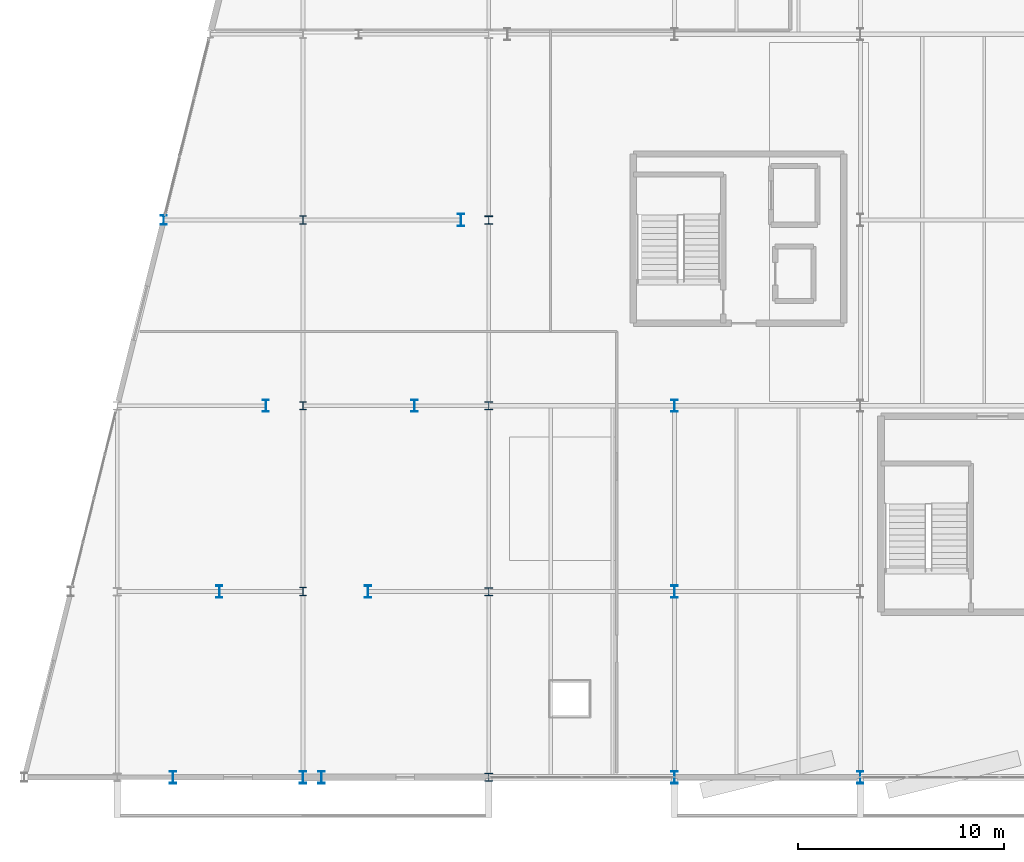
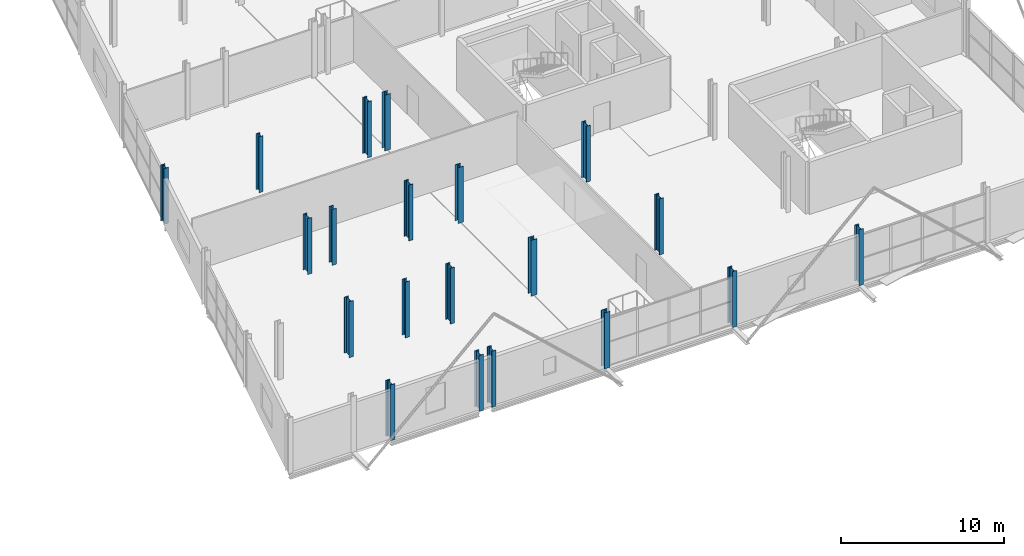
# One storey, part 10 of 103: 20 columns.
"""IFC4 building model written with IfcOpenShell, lengths in metres."""

import ifcopenshell
import ifcopenshell.guid

model = None  # the IFC model being written
_history = None  # IfcOwnerHistory: only IFC2X3 demands one
_inside = {}  # id of a spatial element -> (the spatial element, [elements in it])
_under = {}  # id of a project, library or spatial element -> (it, [spatial elements below it])
_declared = {}  # id of a project -> (the project, [libraries it declares])
_typed = {}  # id of a type object -> (the type object, [elements of that type])
_made_of = {}  # id of a material, layer set ... -> (it, [elements and type objects made of it])


def new_model(schema):
    """Start an empty IFC model of exactly this schema.

    Asked for "IFC4X3", IfcOpenShell would pick the latest addendum, in which some entities
    have other attributes; the version numbers below select the first issue.
    IFC2X3 requires an IfcOwnerHistory on every rooted entity: one is made here for all.
    """
    global model, _history
    if schema == "IFC4X3":
        model = ifcopenshell.file(schema_version=(4, 3, 0, 0))
    else:
        model = ifcopenshell.file(schema=schema)
    _inside.clear()
    _under.clear()
    _declared.clear()
    _typed.clear()
    _made_of.clear()
    _history = None
    if model.schema == "IFC2X3":
        org = make("IfcOrganization", Name="unknown")
        user = make(
            "IfcPersonAndOrganization",
            ThePerson=make("IfcPerson", FamilyName="unknown"),
            TheOrganization=org,
        )
        app = make(
            "IfcApplication",
            ApplicationDeveloper=org,
            Version="unknown",
            ApplicationFullName="unknown",
            ApplicationIdentifier="unknown",
        )
        _history = make(
            "IfcOwnerHistory",
            OwningUser=user,
            OwningApplication=app,
            ChangeAction="ADDED",
            CreationDate=0,
        )
    return model


def make(cls, **values):
    """One entity of the class cls with the attributes given. An attribute that is None is left unset."""
    return model.create_entity(
        cls, **{name: value for name, value in values.items() if value is not None}
    )


def rooted(cls, **values):
    """An entity with a GlobalId (a new one), such as an element, a storey or a relation."""
    return make(cls, GlobalId=ifcopenshell.guid.new(), OwnerHistory=_history, **values)


def si_unit(unit_type, name, prefix=None):
    """IfcSIUnit, for example si_unit("LENGTHUNIT", "METRE", prefix="MILLI")."""
    return make("IfcSIUnit", UnitType=unit_type, Prefix=prefix, Name=name)


def assignment(units):
    """IfcUnitAssignment: the units of a project."""
    return None if units is None else make("IfcUnitAssignment", Units=units)


def point(xyz):
    """IfcCartesianPoint."""
    return None if xyz is None else make("IfcCartesianPoint", Coordinates=xyz)


def direction(xyz):
    """IfcDirection."""
    return None if xyz is None else make("IfcDirection", DirectionRatios=xyz)


def frame(location, z_axis=None, x_axis=None):
    """IfcAxis2Placement3D, a coordinate frame: its origin and axes. An axis left out is left unset."""
    return make(
        "IfcAxis2Placement3D",
        Location=point(location),
        Axis=direction(z_axis),
        RefDirection=direction(x_axis),
    )


def frame_2d(location, x_axis=None):
    """IfcAxis2Placement2D, a coordinate frame in the plane: its origin and x axis."""
    return make(
        "IfcAxis2Placement2D", Location=point(location), RefDirection=direction(x_axis)
    )


def origin():
    """The frame at (0, 0, 0) with its axes left unset."""
    return frame((0.0, 0.0, 0.0))


def origin_2d():
    """The frame at (0, 0) in the plane with its x axis left unset."""
    return frame_2d((0.0, 0.0))


def place(relative_to, where):
    """IfcLocalPlacement: puts the frame where relative to a parent placement (None: the world)."""
    return make(
        "IfcLocalPlacement", PlacementRelTo=relative_to, RelativePlacement=where
    )


def context(
    kind, dimensions, precision=None, world=None, true_north=None, identifier=None
):
    """IfcGeometricRepresentationContext, for example the 3D "Model" context."""
    return make(
        "IfcGeometricRepresentationContext",
        ContextIdentifier=identifier,
        ContextType=kind,
        CoordinateSpaceDimension=dimensions,
        Precision=precision,
        WorldCoordinateSystem=world,
        TrueNorth=true_north,
    )


def subcontext(parent, identifier, kind, view, scale=None):
    """IfcGeometricRepresentationSubContext, for example "Body" below "Model"."""
    return make(
        "IfcGeometricRepresentationSubContext",
        ContextIdentifier=identifier,
        ContextType=kind,
        ParentContext=parent,
        TargetScale=scale,
        TargetView=view,
    )


def project(units=None, contexts=None):
    """IfcProject with its units and contexts."""
    return rooted(
        "IfcProject",
        Name="project",
        RepresentationContexts=contexts,
        UnitsInContext=assignment(units),
    )


def spatial(cls, under=None, at=None, **own):
    """A site, building, storey or space (cls), placed at a placement, below another one or the project."""
    s = rooted(cls, ObjectPlacement=at, **own)
    if under is not None:
        _under.setdefault(under.id(), (under, []))[1].append(s)
    return s


def profile(cls, at=None, kind="AREA", **sizes):
    """A parametric profile (cls). Its sizes go by their IFC names, for example OverallWidth=200.0."""
    return make(cls, ProfileType=kind, Position=at, **sizes)


def i_section(**sizes):
    """IfcIShapeProfileDef."""
    return profile("IfcIShapeProfileDef", **sizes)


def extrude(swept, where, along, depth):
    """IfcExtrudedAreaSolid: the profile swept, set in the frame where, extruded along a direction by depth."""
    return make(
        "IfcExtrudedAreaSolid",
        SweptArea=swept,
        Position=where,
        ExtrudedDirection=direction(along),
        Depth=depth,
    )


def shape(context_of_items, identifier, shape_type, items):
    """IfcShapeRepresentation: the items that make up one representation, for example the "Body"."""
    return make(
        "IfcShapeRepresentation",
        ContextOfItems=context_of_items,
        RepresentationIdentifier=identifier,
        RepresentationType=shape_type,
        Items=items,
    )


def material(Name=None, Category=None):
    """IfcMaterial."""
    return make("IfcMaterial", Name=Name, Category=Category)


def material_profile(
    of_material, cross_section, Name=None, Category=None, Priority=None
):
    """IfcMaterialProfile: a cross section and its material."""
    return make(
        "IfcMaterialProfile",
        Name=Name,
        Material=of_material,
        Profile=cross_section,
        Priority=Priority,
        Category=Category,
    )


def profile_set(profiles, Name=None, composite=None):
    """IfcMaterialProfileSet."""
    return make(
        "IfcMaterialProfileSet",
        Name=Name,
        MaterialProfiles=profiles,
        CompositeProfile=composite,
    )


def made_of(thing, what):
    """Note that an element or type object is made of a material, layer set ...; save() writes the relation."""
    if what is not None:
        _made_of.setdefault(what.id(), (what, []))[1].append(thing)
    return thing


def type_object(cls, material=None, **own):
    """A type object (cls), such as IfcWallType, which elements share."""
    return made_of(rooted(cls, **own), material)


def element(
    cls,
    number,
    at=None,
    inside=None,
    cuts=None,
    type_object=None,
    material=None,
    context=None,
    identifier="Body",
    shape_type=None,
    held_by="IfcProductDefinitionShape",
    body=None,
    shapes=None,
    **own,
):
    """One element of the class cls, such as IfcWall. Its Tag is "e" and its number.

    at: its placement. inside: the storey or other place that contains it. cuts: it is an
    opening in that element (IfcRelVoidsElement). A single representation is given by context,
    identifier, shape_type and body (its items); several are given by shapes. held_by: the class
    of the entity that holds the representations. save() writes the other relations.
    """
    e = rooted(cls, Tag="e%d" % number, ObjectPlacement=at, **own)
    if body is not None:
        shapes = [shape(context, identifier, shape_type, body)]
    if shapes is not None:
        e.Representation = make(held_by, Representations=shapes)
    if inside is not None:
        _inside.setdefault(inside.id(), (inside, []))[1].append(e)
    if cuts is not None:
        rooted(
            "IfcRelVoidsElement", RelatingBuildingElement=cuts, RelatedOpeningElement=e
        )
    if type_object is not None:
        _typed.setdefault(type_object.id(), (type_object, []))[1].append(e)
    return made_of(e, material)


def aggregate(whole, parts):
    """IfcRelAggregates: a whole, such as a stair, and the parts it consists of."""
    return rooted("IfcRelAggregates", RelatingObject=whole, RelatedObjects=parts)


def save(model, path):
    """Write the relations noted so far, then the file.

    IfcRelAggregates (storeys below a building ...), IfcRelContainedInSpatialStructure (elements
    in a storey), IfcRelDefinesByType, IfcRelAssociatesMaterial and IfcRelDeclares: one each for
    every whole, place, type object, material and project.
    """
    for whole, parts in _under.values():
        aggregate(whole, parts)
    for where, things in _inside.values():
        rooted(
            "IfcRelContainedInSpatialStructure",
            RelatedElements=things,
            RelatingStructure=where,
        )
    for kind, things in _typed.values():
        rooted("IfcRelDefinesByType", RelatedObjects=things, RelatingType=kind)
    for what, things in _made_of.values():
        rooted("IfcRelAssociatesMaterial", RelatedObjects=things, RelatingMaterial=what)
    for by, libraries in _declared.values():
        rooted("IfcRelDeclares", RelatingContext=by, RelatedDefinitions=libraries)
    model.write(path)


model = new_model("IFC4")

# Units and contexts
model_context = context("Model", 3, precision=1e-05, world=origin(), true_north=direction((0.0, 1.0)))
body_context = subcontext(model_context, "Body", "Model", "MODEL_VIEW")
ifc_project = project(units=[si_unit("LENGTHUNIT", "METRE"), si_unit("AREAUNIT", "SQUARE_METRE"), si_unit("VOLUMEUNIT", "CUBIC_METRE"), si_unit("PLANEANGLEUNIT", "RADIAN"), si_unit("MASSUNIT", "GRAM", prefix="KILO")], contexts=[model_context])

# Site, building, storey
site_placement = place(None, origin())
site = spatial("IfcSite", under=ifc_project, at=site_placement, CompositionType="ELEMENT")
building_placement = place(site_placement, origin())
building = spatial("IfcBuilding", under=site, at=building_placement, Name="Deido Ridge Mobility Hub", CompositionType="ELEMENT")
storey_placement = place(building_placement, frame((0.0, 0.0, 12.60009765625)))
storey = spatial("IfcBuildingStorey", under=building, at=storey_placement, Name="L03", CompositionType="ELEMENT", Elevation=12.60009765625)

# Columns
ifc_material = material(Name="Steel S355J2 EN 10025-2", Category="steel")
ifc_material_profile_1 = material_profile(ifc_material, i_section(OverallWidth=0.39892578125, OverallDepth=0.39306640625, WebThickness=0.017578125, FlangeThickness=0.028076171875, FilletRadius=0.014892578125, at=origin_2d()), Name="HD 400x287")
ifc_profile_set_1 = profile_set([ifc_material_profile_1], Name="Steel S355J2 EN 10025-2")
column_type_1 = type_object("IfcColumnType", Name="COL-HD400-287", PredefinedType="COLUMN", material=ifc_profile_set_1)
for number, where, z_axis, x_axis, name in (
    (1, (144.0, 0.0, 0.0), (0.0, 0.0, 1.0), (1.0, 0.0, 0.0), "Structural column C2"),
    (2, (144.0, 9.0, 0.0), (0.0, 0.0, 1.0), (1.0, 0.0, 0.0), "Structural column C2"),
    (3, (144.0, 18.0, 0.0), (0.0, 0.0, 1.0), (1.0, 0.0, 0.0), "Structural column C2"),
    (4, (144.0, 27.0, 0.0), (0.0, 0.0, 1.0), (1.0, 0.0, 0.0), "Structural column C2"),
):
    element("IfcColumn", number, at=place(storey_placement, frame(where, z_axis=z_axis, x_axis=x_axis)), inside=storey, type_object=column_type_1, Name=name, PredefinedType="COLUMN", context=body_context, shape_type="SweptSolid", body=[
        extrude(i_section(OverallWidth=0.39892578125, OverallDepth=0.39306640625, WebThickness=0.017578125, FlangeThickness=0.028076171875, FilletRadius=0.014892578125, at=origin_2d()), origin(), (0.0, 0.0, 1.0), 4.199951171875),
    ])
ifc_material_profile_2 = material_profile(ifc_material, i_section(OverallWidth=0.300048828125, OverallDepth=0.39990234375, WebThickness=0.013427734375, FlangeThickness=0.02392578125, FilletRadius=0.027099609375, at=origin_2d()), Name="HEB 400")
ifc_profile_set_2 = profile_set([ifc_material_profile_2], Name="Steel S355J2 EN 10025-2")
column_type_2 = type_object("IfcColumnType", Name="COL-HEB400", PredefinedType="COLUMN", material=ifc_profile_set_2)
for number, where, z_axis, x_axis, name in (
    (5, (135.0, 9.0, 0.0), (0.0, 0.0, 1.0), (1.0, 0.0, 0.0), "Structural column C7"),
    (6, (135.0, 18.0, 0.0), (0.0, 0.0, 1.0), (1.0, 0.0, 0.0), "Structural column C7"),
    (7, (135.0, 27.0, 0.0), (0.0, 0.0, 1.0), (1.0, 0.0, 0.0), "Structural column C7"),
):
    element("IfcColumn", number, at=place(storey_placement, frame(where, z_axis=z_axis, x_axis=x_axis)), inside=storey, type_object=column_type_2, Name=name, PredefinedType="COLUMN", context=body_context, shape_type="SweptSolid", body=[
        extrude(i_section(OverallWidth=0.300048828125, OverallDepth=0.39990234375, WebThickness=0.013427734375, FlangeThickness=0.02392578125, FilletRadius=0.027099609375, at=origin_2d()), origin(), (0.0, 0.0, 1.0), 4.199951171875),
    ])
ifc_material_profile_3 = material_profile(ifc_material, i_section(OverallWidth=0.300048828125, OverallDepth=0.449951171875, WebThickness=0.013916015625, FlangeThickness=0.02587890625, FilletRadius=0.027099609375, at=origin_2d()), Name="HEB 450")
ifc_profile_set_3 = profile_set([ifc_material_profile_3], Name="Steel S355J2 EN 10025-2")
column_type_3 = type_object("IfcColumnType", Name="COL-HEB450", PredefinedType="COLUMN", material=ifc_profile_set_3)
column_placement = place(storey_placement, frame((128.25, 27.0, 0.0), z_axis=(0.0, 0.0, 1.0), x_axis=(1.0, 0.0, 0.0)))
element("IfcColumn", 8, at=column_placement, inside=storey, type_object=column_type_3, Name="Structural column C6", PredefinedType="COLUMN", context=body_context, shape_type="SweptSolid", body=[
    extrude(i_section(OverallWidth=0.300048828125, OverallDepth=0.449951171875, WebThickness=0.013916015625, FlangeThickness=0.02587890625, FilletRadius=0.027099609375, at=origin_2d()), origin(), (0.0, 0.0, 1.0), 4.199951171875),
])
ifc_material_profile_4 = material_profile(ifc_material, i_section(OverallWidth=0.300048828125, OverallDepth=0.60009765625, WebThickness=0.015380859375, FlangeThickness=0.030029296875, FilletRadius=0.027099609375, at=origin_2d()), Name="HEB 600")
ifc_profile_set_4 = profile_set([ifc_material_profile_4], Name="Steel S355J2 EN 10025-2")
column_type_4 = type_object("IfcColumnType", Name="COL-HEB600", PredefinedType="COLUMN", material=ifc_profile_set_4)
for number, where, z_axis, x_axis, name in (
    (9, (128.699951171875, 0.0, 0.0), (0.0, 0.0, 1.0), (1.0, 0.0, 0.0), "Structural column C4"),
    (10, (135.0, 0.0, 0.0), (0.0, 0.0, 1.0), (1.0, 0.0, 0.0), "Structural column C4"),
    (11, (135.89990234375, 0.0, 0.0), (0.0, 0.0, 1.0), (1.0, 0.0, 0.0), "Structural column C4"),
    (12, (153.0, 0.0, 0.0), (0.0, 0.0, 1.0), (1.0, 0.0, 0.0), "Structural column C4"),
    (13, (162.0, 0.0, 0.0), (0.0, 0.0, 1.0), (1.0, 0.0, 0.0), "Structural column C4"),
    (14, (130.949951171875, 9.0, 0.0), (0.0, 0.0, 1.0), (1.0, 0.0, 0.0), "Structural column C4"),
    (15, (138.14990234375, 9.0, 0.0), (0.0, 0.0, 1.0), (1.0, 0.0, 0.0), "Structural column C4"),
    (16, (153.0, 9.0, 0.0), (0.0, 0.0, 1.0), (1.0, 0.0, 0.0), "Structural column C4"),
    (17, (133.199951171875, 18.0, 0.0), (0.0, 0.0, 1.0), (1.0, 0.0, 0.0), "Structural column C4"),
    (18, (140.39990234375, 18.0, 0.0), (0.0, 0.0, 1.0), (1.0, 0.0, 0.0), "Structural column C4"),
    (19, (153.0, 18.0, 0.0), (0.0, 0.0, 1.0), (1.0, 0.0, 0.0), "Structural column C4"),
    (20, (142.64990234375, 27.0, 0.0), (0.0, 0.0, 1.0), (1.0, 0.0, 0.0), "Structural column C4"),
):
    element("IfcColumn", number, at=place(storey_placement, frame(where, z_axis=z_axis, x_axis=x_axis)), inside=storey, type_object=column_type_4, Name=name, PredefinedType="COLUMN", context=body_context, shape_type="SweptSolid", body=[
        extrude(i_section(OverallWidth=0.300048828125, OverallDepth=0.60009765625, WebThickness=0.015380859375, FlangeThickness=0.030029296875, FilletRadius=0.027099609375, at=origin_2d()), origin(), (0.0, 0.0, 1.0), 4.199951171875),
    ])

save(model, "model.ifc")
